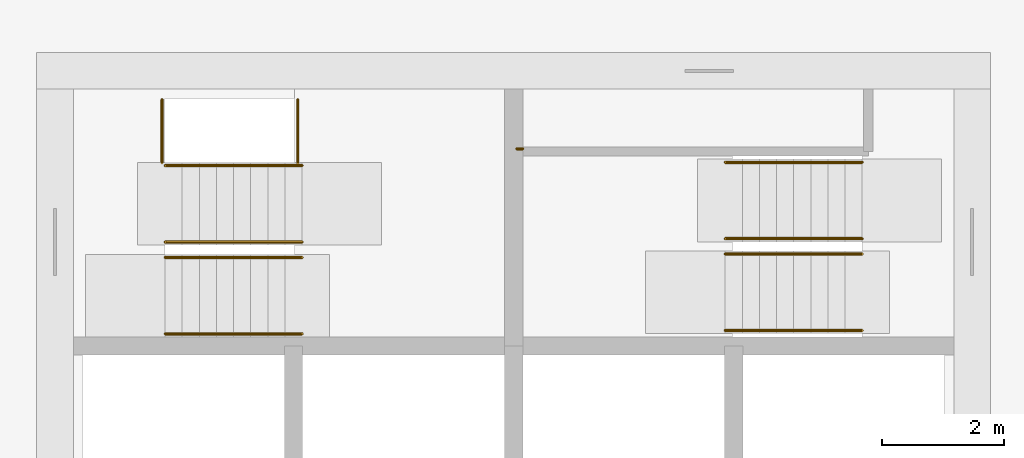
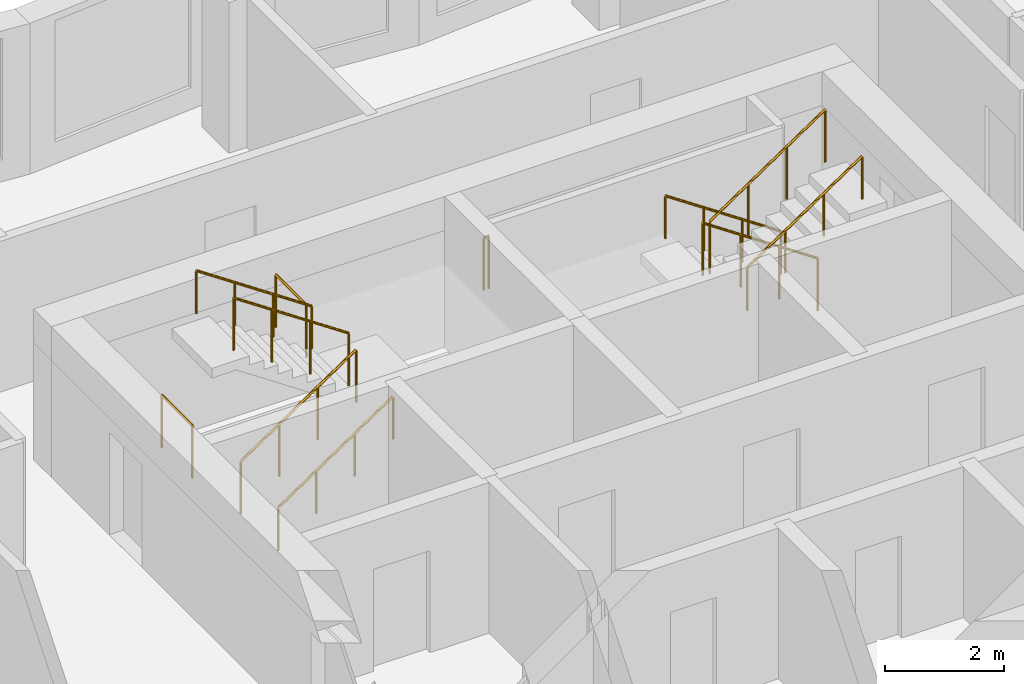
# One storey, part 11 of 12: 11 railings.
"""IFC4 building model written with IfcOpenShell, lengths in metres."""

from ifc_helpers import new_model, si_unit, direction, frame, origin, origin_2d, place, context, subcontext, project, spatial, circle, extrude, material, type_object, element, save


model = new_model("IFC4")

# Units and contexts
model_context = context("Model", 3, precision=1e-05, world=origin(), true_north=direction((0.0, 1.0)))
body_context = subcontext(model_context, "Body", "Model", "MODEL_VIEW")
ifc_project = project(units=[si_unit("LENGTHUNIT", "METRE"), si_unit("AREAUNIT", "SQUARE_METRE"), si_unit("VOLUMEUNIT", "CUBIC_METRE"), si_unit("PLANEANGLEUNIT", "RADIAN"), si_unit("MASSUNIT", "GRAM", prefix="KILO")], contexts=[model_context])

# Site, building, storey
site_placement = place(None, origin())
site = spatial("IfcSite", under=ifc_project, at=site_placement, CompositionType="ELEMENT")
building_placement = place(site_placement, origin())
building = spatial("IfcBuilding", under=site, at=building_placement, Name="Windrow Commons", CompositionType="ELEMENT")
storey_placement = place(building_placement, frame((0.0, 0.0, 138.8)))
storey = spatial("IfcBuildingStorey", under=building, at=storey_placement, Name="L37", CompositionType="ELEMENT", Elevation=138.8)

# Railings
ifc_material_1 = material(Name="Steel S355", Category="steel")
railing_type_1 = type_object("IfcRailingType", Name="Core stair guard 1100", PredefinedType="GUARDRAIL", material=ifc_material_1)
railing_1_placement = place(storey_placement, frame((59.1, 62.05, 0.1889)))
element("IfcRailing", 1, at=railing_1_placement, inside=storey, type_object=railing_type_1, Name="L37 ST-A1 stair guard 1", PredefinedType="GUARDRAIL", context=body_context, shape_type="SweptSolid", body=[
    extrude(circle(Radius=0.024, at=origin_2d()), frame((0.0, 0.0, 1.076), z_axis=(0.8290030985, 0.0, 0.5592440099), x_axis=(0.0, 1.0, 0.0)), (0.0, 0.0, 1.0), 2.702),
    extrude(circle(Radius=0.021, at=origin_2d()), origin(), (0.0, 0.0, 1.0), 1.052),
    extrude(circle(Radius=0.021, at=origin_2d()), frame((0.7467, 0.0, 0.5037)), (0.0, 0.0, 1.0), 1.052),
    extrude(circle(Radius=0.021, at=origin_2d()), frame((1.4933, 0.0, 1.0074)), (0.0, 0.0, 1.0), 1.052),
    extrude(circle(Radius=0.021, at=origin_2d()), frame((2.24, 0.0, 1.5111)), (0.0, 0.0, 1.0), 1.052),
])
railing_2_placement = place(storey_placement, frame((61.34, 62.3, 1.8889)))
element("IfcRailing", 2, at=railing_2_placement, inside=storey, type_object=railing_type_1, Name="L37 ST-A1 stair guard 2", PredefinedType="GUARDRAIL", context=body_context, shape_type="SweptSolid", body=[
    extrude(circle(Radius=0.024, at=origin_2d()), frame((0.0, 0.0, 1.076), z_axis=(-0.8290030985, 0.0, 0.5592440099), x_axis=(0.0, -1.0, 0.0)), (0.0, 0.0, 1.0), 2.702),
    extrude(circle(Radius=0.021, at=origin_2d()), origin(), (0.0, 0.0, 1.0), 1.052),
    extrude(circle(Radius=0.021, at=origin_2d()), frame((-0.7467, 0.0, 0.5037)), (0.0, 0.0, 1.0), 1.052),
    extrude(circle(Radius=0.021, at=origin_2d()), frame((-1.4933, 0.0, 1.0074)), (0.0, 0.0, 1.0), 1.052),
    extrude(circle(Radius=0.021, at=origin_2d()), frame((-2.24, 0.0, 1.5111)), (0.0, 0.0, 1.0), 1.052),
])
for number, where, name in (
    (3, (59.05, 63.6, 0.0), "L37 ST-A1 stair guard 3"),
    (4, (61.27, 63.6, 1.7), "L37 ST-A1 stair guard 4"),
):
    element("IfcRailing", number, at=place(storey_placement, frame(where)), inside=storey, type_object=railing_type_1, Name=name, PredefinedType="GUARDRAIL", context=body_context, shape_type="SweptSolid", body=[
        extrude(circle(Radius=0.024, at=origin_2d()), frame((0.0, 0.0, 1.076), z_axis=(0.0, 1.0, 0.0), x_axis=(-1.0, 0.0, 0.0)), (0.0, 0.0, 1.0), 1.03),
        extrude(circle(Radius=0.021, at=origin_2d()), origin(), (0.0, 0.0, 1.0), 1.052),
        extrude(circle(Radius=0.021, at=origin_2d()), frame((0.0, 1.03, 0.0)), (0.0, 0.0, 1.0), 1.052),
    ])
railing_3_placement = place(storey_placement, frame((70.5, 62.355, 0.1889)))
element("IfcRailing", 5, at=railing_3_placement, inside=storey, type_object=railing_type_1, Name="L37 ST-A2 stair guard 1", PredefinedType="GUARDRAIL", context=body_context, shape_type="SweptSolid", body=[
    extrude(circle(Radius=0.024, at=origin_2d()), frame((0.0, 0.0, 1.076), z_axis=(-0.8290030985, 0.0, 0.5592440099), x_axis=(0.0, -1.0, 0.0)), (0.0, 0.0, 1.0), 2.702),
    extrude(circle(Radius=0.021, at=origin_2d()), origin(), (0.0, 0.0, 1.0), 1.052),
    extrude(circle(Radius=0.021, at=origin_2d()), frame((-0.7467, 0.0, 0.5037)), (0.0, 0.0, 1.0), 1.052),
    extrude(circle(Radius=0.021, at=origin_2d()), frame((-1.4933, 0.0, 1.0074)), (0.0, 0.0, 1.0), 1.052),
    extrude(circle(Radius=0.021, at=origin_2d()), frame((-2.24, 0.0, 1.5111)), (0.0, 0.0, 1.0), 1.052),
])
railing_4_placement = place(storey_placement, frame((68.26, 62.105, 1.8889)))
element("IfcRailing", 6, at=railing_4_placement, inside=storey, type_object=railing_type_1, Name="L37 ST-A2 stair guard 2", PredefinedType="GUARDRAIL", context=body_context, shape_type="SweptSolid", body=[
    extrude(circle(Radius=0.024, at=origin_2d()), frame((0.0, 0.0, 1.076), z_axis=(0.8290030985, 0.0, 0.5592440099), x_axis=(0.0, 1.0, 0.0)), (0.0, 0.0, 1.0), 2.702),
    extrude(circle(Radius=0.021, at=origin_2d()), origin(), (0.0, 0.0, 1.0), 1.052),
    extrude(circle(Radius=0.021, at=origin_2d()), frame((0.7467, 0.0, 0.5037)), (0.0, 0.0, 1.0), 1.052),
    extrude(circle(Radius=0.021, at=origin_2d()), frame((1.4933, 0.0, 1.0074)), (0.0, 0.0, 1.0), 1.052),
    extrude(circle(Radius=0.021, at=origin_2d()), frame((2.24, 0.0, 1.5111)), (0.0, 0.0, 1.0), 1.052),
])
railing_5_placement = place(storey_placement, frame((64.95, 63.825, 1.7)))
element("IfcRailing", 7, at=railing_5_placement, inside=storey, type_object=railing_type_1, Name="L37 ST-A2 stair guard 3", PredefinedType="GUARDRAIL", context=body_context, shape_type="SweptSolid", body=[
    extrude(circle(Radius=0.024, at=origin_2d()), frame((0.0, 0.0, 1.076), z_axis=(-1.0, 0.0, 0.0), x_axis=(0.0, -1.0, 0.0)), (0.0, 0.0, 1.0), 0.1),
    extrude(circle(Radius=0.021, at=origin_2d()), origin(), (0.0, 0.0, 1.0), 1.052),
    extrude(circle(Radius=0.021, at=origin_2d()), frame((-0.1, 0.0, 0.0)), (0.0, 0.0, 1.0), 1.052),
])
ifc_material_2 = material(Name="Steel S355", Category="steel")
railing_type_2 = type_object("IfcRailingType", Name="Core stair handrail 900", PredefinedType="HANDRAIL", material=ifc_material_2)
railing_6_placement = place(storey_placement, frame((59.1, 60.8, 0.1889)))
element("IfcRailing", 8, at=railing_6_placement, inside=storey, type_object=railing_type_2, Name="L37 ST-A1 stair handrail 1", PredefinedType="HANDRAIL", context=body_context, shape_type="SweptSolid", body=[
    extrude(circle(Radius=0.024, at=origin_2d()), frame((0.0, 0.0, 0.876), z_axis=(0.8290030985, 0.0, 0.5592440099), x_axis=(0.0, 1.0, 0.0)), (0.0, 0.0, 1.0), 2.702),
    extrude(circle(Radius=0.021, at=origin_2d()), origin(), (0.0, 0.0, 1.0), 0.852),
    extrude(circle(Radius=0.021, at=origin_2d()), frame((0.7467, 0.0, 0.5037)), (0.0, 0.0, 1.0), 0.852),
    extrude(circle(Radius=0.021, at=origin_2d()), frame((1.4933, 0.0, 1.0074)), (0.0, 0.0, 1.0), 0.852),
    extrude(circle(Radius=0.021, at=origin_2d()), frame((2.24, 0.0, 1.5111)), (0.0, 0.0, 1.0), 0.852),
])
for number, where, name in (
    (9, (61.34, 63.55, 1.8889), "L37 ST-A1 stair handrail 2"),
    (10, (70.5, 63.605, 0.1889), "L37 ST-A2 stair handrail 1"),
):
    element("IfcRailing", number, at=place(storey_placement, frame(where)), inside=storey, type_object=railing_type_2, Name=name, PredefinedType="HANDRAIL", context=body_context, shape_type="SweptSolid", body=[
        extrude(circle(Radius=0.024, at=origin_2d()), frame((0.0, 0.0, 0.876), z_axis=(-0.8290030985, 0.0, 0.5592440099), x_axis=(0.0, -1.0, 0.0)), (0.0, 0.0, 1.0), 2.702),
        extrude(circle(Radius=0.021, at=origin_2d()), origin(), (0.0, 0.0, 1.0), 0.852),
        extrude(circle(Radius=0.021, at=origin_2d()), frame((-0.7467, 0.0, 0.5037)), (0.0, 0.0, 1.0), 0.852),
        extrude(circle(Radius=0.021, at=origin_2d()), frame((-1.4933, 0.0, 1.0074)), (0.0, 0.0, 1.0), 0.852),
        extrude(circle(Radius=0.021, at=origin_2d()), frame((-2.24, 0.0, 1.5111)), (0.0, 0.0, 1.0), 0.852),
    ])
railing_7_placement = place(storey_placement, frame((68.26, 60.855, 1.8889)))
element("IfcRailing", 11, at=railing_7_placement, inside=storey, type_object=railing_type_2, Name="L37 ST-A2 stair handrail 2", PredefinedType="HANDRAIL", context=body_context, shape_type="SweptSolid", body=[
    extrude(circle(Radius=0.024, at=origin_2d()), frame((0.0, 0.0, 0.876), z_axis=(0.8290030985, 0.0, 0.5592440099), x_axis=(0.0, 1.0, 0.0)), (0.0, 0.0, 1.0), 2.702),
    extrude(circle(Radius=0.021, at=origin_2d()), origin(), (0.0, 0.0, 1.0), 0.852),
    extrude(circle(Radius=0.021, at=origin_2d()), frame((0.7467, 0.0, 0.5037)), (0.0, 0.0, 1.0), 0.852),
    extrude(circle(Radius=0.021, at=origin_2d()), frame((1.4933, 0.0, 1.0074)), (0.0, 0.0, 1.0), 0.852),
    extrude(circle(Radius=0.021, at=origin_2d()), frame((2.24, 0.0, 1.5111)), (0.0, 0.0, 1.0), 0.852),
])

save(model, "model.ifc")
